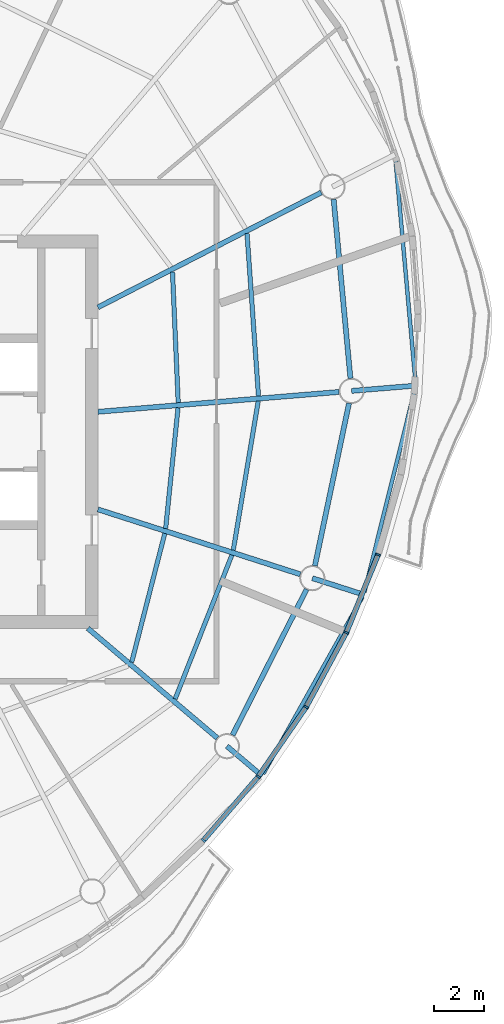
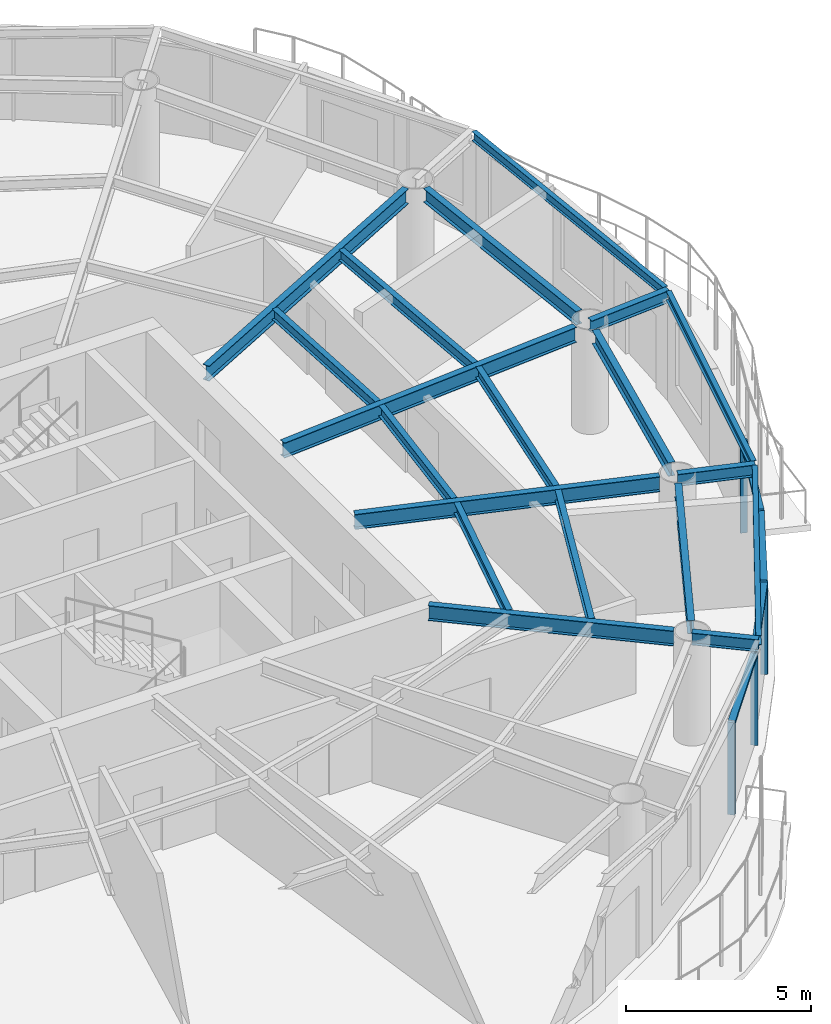
# One storey, part 4 of 14: 19 beams, 9 members, 4 elements without a shape of their own.
"""IFC4 building model written with IfcOpenShell, lengths in metres."""

from ifc_helpers import new_model, si_unit, direction, frame, origin, origin_2d, place, context, subcontext, project, spatial, rectangle, i_section, extrude, material, material_profile, profile_set, type_object, element, aggregate, save


model = new_model("IFC4")

# Units and contexts
model_context = context("Model", 3, precision=1e-05, world=origin(), true_north=direction((0.0, 1.0)))
body_context = subcontext(model_context, "Body", "Model", "MODEL_VIEW")
ifc_project = project(units=[si_unit("LENGTHUNIT", "METRE"), si_unit("AREAUNIT", "SQUARE_METRE"), si_unit("VOLUMEUNIT", "CUBIC_METRE"), si_unit("PLANEANGLEUNIT", "RADIAN"), si_unit("MASSUNIT", "GRAM", prefix="KILO")], contexts=[model_context])

# Site, building, storey
site_placement = place(None, origin())
site = spatial("IfcSite", under=ifc_project, at=site_placement, CompositionType="ELEMENT")
building_placement = place(site_placement, origin())
building = spatial("IfcBuilding", under=site, at=building_placement, Name="Vermilion Reach Broadcast Tower", CompositionType="ELEMENT")
storey_placement = place(building_placement, frame((0.0, 0.0, 268.5)))
storey = spatial("IfcBuildingStorey", under=building, at=storey_placement, Name="L66", CompositionType="ELEMENT", Elevation=268.5)

# Beams
ifc_material_1 = material(Name="Steel S355J2", Category="steel")
ifc_material_profile_1 = material_profile(ifc_material_1, i_section(OverallWidth=0.14990234375, OverallDepth=0.300048828125, WebThickness=0.006591796875, FlangeThickness=0.009033203125, at=origin_2d()), Name="S355J2 HN 300x150x6.5x9")
ifc_profile_set_1 = profile_set([ifc_material_profile_1], Name="Steel S355J2")
beam_type_1 = type_object("IfcBeamType", Name="EB5 HN 300x150x6.5x9", PredefinedType="BEAM", material=ifc_profile_set_1)
beam_1_placement = place(storey_placement, frame((10.161865234375, -13.5703125, 3.300048828125), z_axis=(0.489276871592, 0.87212851285, 0.0), x_axis=(-0.87212851285, 0.489276871592, 0.0)))
element("IfcBeam", 1, at=beam_1_placement, inside=storey, type_object=beam_type_1, Name="Edge beam EB5-12", PredefinedType="BEAM", context=body_context, shape_type="SweptSolid", body=[
    extrude(i_section(OverallWidth=0.14990234375, OverallDepth=0.300048828125, WebThickness=0.006591796875, FlangeThickness=0.009033203125, at=origin_2d()), origin(), (0.0, 0.0, 1.0), 8.045166015625),
])
beam_2_placement = place(storey_placement, frame((14.172119140625, -6.36767578125, 3.300048828125), z_axis=(0.241605942273, 0.970374447653, 0.0), x_axis=(-0.970374447653, 0.241605942273, 0.0)))
element("IfcBeam", 2, at=beam_2_placement, inside=storey, type_object=beam_type_1, Name="Edge beam EB5-13", PredefinedType="BEAM", context=body_context, shape_type="SweptSolid", body=[
    extrude(i_section(OverallWidth=0.14990234375, OverallDepth=0.300048828125, WebThickness=0.006591796875, FlangeThickness=0.009033203125, at=origin_2d()), origin(), (0.0, 0.0, 1.0), 8.342529296875),
])
beam_3_placement = place(storey_placement, frame((16.204345703125, 1.9296875, 3.300048828125), z_axis=(-0.089613201352, 0.995976643372, 0.0), x_axis=(-0.995976643372, -0.089613201352, 0.0)))
element("IfcBeam", 3, at=beam_3_placement, inside=storey, type_object=beam_type_1, Name="Edge beam EB5-14", PredefinedType="BEAM", context=body_context, shape_type="SweptSolid", body=[
    extrude(i_section(OverallWidth=0.14990234375, OverallDepth=0.300048828125, WebThickness=0.006591796875, FlangeThickness=0.009033203125, at=origin_2d()), origin(), (0.0, 0.0, 1.0), 8.995849609375),
])
ifc_material_2 = material(Name="Steel S355J2", Category="steel")
ifc_material_profile_2 = material_profile(ifc_material_2, i_section(OverallWidth=0.199951171875, OverallDepth=0.5, WebThickness=0.010009765625, FlangeThickness=0.01611328125, at=origin_2d()), Name="S355J2 HN 500x200x10x16")
ifc_profile_set_2 = profile_set([ifc_material_profile_2], Name="Steel S355J2")
beam_type_2 = type_object("IfcBeamType", Name="G5 HN 500x200x10x16", PredefinedType="BEAM", material=ifc_profile_set_2)
beam_4_placement = place(storey_placement, frame((3.20068359375, -7.800048828125, 3.199951171875), z_axis=(0.762793125612, -0.646642596431, 0.0), x_axis=(0.646642596431, 0.762793125612, 0.0)))
element("IfcBeam", 4, at=beam_4_placement, inside=storey, type_object=beam_type_2, Name="Girder G5-12", PredefinedType="BEAM", context=body_context, shape_type="SweptSolid", body=[
    extrude(i_section(OverallWidth=0.199951171875, OverallDepth=0.5, WebThickness=0.010009765625, FlangeThickness=0.01611328125, at=origin_2d()), origin(), (0.0, 0.0, 1.0), 6.732421875),
])
beam_5_placement = place(storey_placement, frame((3.60009765625, -3.080322265625, 3.199951171875), z_axis=(0.952178453449, -0.305542456604, 0.0), x_axis=(0.305542456604, 0.952178453449, 0.0)))
element("IfcBeam", 5, at=beam_5_placement, inside=storey, type_object=beam_type_2, Name="Girder G5-13", PredefinedType="BEAM", context=body_context, shape_type="SweptSolid", body=[
    extrude(i_section(OverallWidth=0.199951171875, OverallDepth=0.5, WebThickness=0.010009765625, FlangeThickness=0.01611328125, at=origin_2d()), origin(), (0.0, 0.0, 1.0), 8.43310546875),
])
beam_6_placement = place(storey_placement, frame((3.60009765625, 0.791015625, 3.199951171875), z_axis=(0.996624410075, 0.082096195058, 0.0), x_axis=(-0.082096195058, 0.996624410075, 0.0)))
element("IfcBeam", 6, at=beam_6_placement, inside=storey, type_object=beam_type_2, Name="Girder G5-14", PredefinedType="BEAM", context=body_context, shape_type="SweptSolid", body=[
    extrude(i_section(OverallWidth=0.199951171875, OverallDepth=0.5, WebThickness=0.010009765625, FlangeThickness=0.01611328125, at=origin_2d()), origin(), (0.0, 0.0, 1.0), 9.599609375),
])
beam_7_placement = place(storey_placement, frame((3.60009765625, 4.935791015625, 3.199951171875), z_axis=(0.889332502449, 0.457261085254, 0.0), x_axis=(-0.457261085254, 0.889332502449, 0.0)))
element("IfcBeam", 7, at=beam_7_placement, inside=storey, type_object=beam_type_2, Name="Girder G5-15", PredefinedType="BEAM", context=body_context, shape_type="SweptSolid", body=[
    extrude(i_section(OverallWidth=0.199951171875, OverallDepth=0.5, WebThickness=0.010009765625, FlangeThickness=0.01611328125, at=origin_2d()), origin(), (0.0, 0.0, 1.0), 9.96337890625),
])
ifc_material_3 = material(Name="Steel S355J2", Category="steel")
ifc_material_profile_3 = material_profile(ifc_material_3, i_section(OverallWidth=0.199951171875, OverallDepth=0.39990234375, WebThickness=0.008056640625, FlangeThickness=0.012939453125, at=origin_2d()), Name="S355J2 HN 400x200x8x13")
ifc_profile_set_3 = profile_set([ifc_material_profile_3], Name="Steel S355J2")
beam_type_3 = type_object("IfcBeamType", Name="GC5 HN 400x200x8x13", PredefinedType="BEAM", material=ifc_profile_set_3)
beam_8_placement = place(storey_placement, frame((8.717529296875, -12.476806640625, 3.25), z_axis=(0.762742644331, -0.646702140493, 0.0), x_axis=(0.646702140493, 0.762742644331, 0.0)))
element("IfcBeam", 8, at=beam_8_placement, inside=storey, type_object=beam_type_3, Name="Cantilever girder GC5-12", PredefinedType="BEAM", context=body_context, shape_type="SweptSolid", body=[
    extrude(i_section(OverallWidth=0.199951171875, OverallDepth=0.39990234375, WebThickness=0.008056640625, FlangeThickness=0.012939453125, at=origin_2d()), origin(), (0.0, 0.0, 1.0), 1.828369140625),
])
beam_9_placement = place(storey_placement, frame((12.10595703125, -5.809814453125, 3.25), z_axis=(0.952208444369, -0.305448978508, 0.0), x_axis=(0.305448978508, 0.952208444369, 0.0)))
element("IfcBeam", 9, at=beam_9_placement, inside=storey, type_object=beam_type_3, Name="Cantilever girder GC5-13", PredefinedType="BEAM", context=body_context, shape_type="SweptSolid", body=[
    extrude(i_section(OverallWidth=0.199951171875, OverallDepth=0.39990234375, WebThickness=0.008056640625, FlangeThickness=0.012939453125, at=origin_2d()), origin(), (0.0, 0.0, 1.0), 2.14453125),
])
beam_10_placement = place(storey_placement, frame((13.665771484375, 1.620361328125, 3.25), z_axis=(0.996628904746, 0.082041612763, 0.0), x_axis=(-0.082041612763, 0.996628904746, 0.0)))
element("IfcBeam", 10, at=beam_10_placement, inside=storey, type_object=beam_type_3, Name="Cantilever girder GC5-14", PredefinedType="BEAM", context=body_context, shape_type="SweptSolid", body=[
    extrude(i_section(OverallWidth=0.199951171875, OverallDepth=0.39990234375, WebThickness=0.008056640625, FlangeThickness=0.012939453125, at=origin_2d()), origin(), (0.0, 0.0, 1.0), 2.55615234375),
])
ifc_material_4 = material(Name="Steel S355J2", Category="steel")
ifc_material_profile_4 = material_profile(ifc_material_4, i_section(OverallWidth=0.199951171875, OverallDepth=0.449951171875, WebThickness=0.009033203125, FlangeThickness=0.013916015625, at=origin_2d()), Name="S355J2 HN 450x200x9x14")
ifc_profile_set_4 = profile_set([ifc_material_profile_4], Name="Steel S355J2")
beam_type_4 = type_object("IfcBeamType", Name="RB5 HN 450x200x9x14", PredefinedType="BEAM", material=ifc_profile_set_4)
beam_11_placement = place(storey_placement, frame((8.944091796875, -12.03125, 3.22509765625), z_axis=(0.453052302855, 0.891483937532, 0.0), x_axis=(-0.891483937532, 0.453052302855, 0.0)))
element("IfcBeam", 11, at=beam_11_placement, inside=storey, type_object=beam_type_4, Name="Ring beam RB5-12", PredefinedType="BEAM", context=body_context, shape_type="SweptSolid", body=[
    extrude(i_section(OverallWidth=0.199951171875, OverallDepth=0.449951171875, WebThickness=0.009033203125, FlangeThickness=0.013916015625, at=origin_2d()), origin(), (0.0, 0.0, 1.0), 6.47900390625),
])
beam_12_placement = place(storey_placement, frame((12.208740234375, -5.3203125, 3.22509765625), z_axis=(0.205444869285, 0.978668690459, 0.0), x_axis=(-0.978668690459, 0.205444869285, 0.0)))
element("IfcBeam", 12, at=beam_12_placement, inside=storey, type_object=beam_type_4, Name="Ring beam RB5-13", PredefinedType="BEAM", context=body_context, shape_type="SweptSolid", body=[
    extrude(i_section(OverallWidth=0.199951171875, OverallDepth=0.449951171875, WebThickness=0.009033203125, FlangeThickness=0.013916015625, at=origin_2d()), origin(), (0.0, 0.0, 1.0), 6.591796875),
])
beam_13_placement = place(storey_placement, frame((13.618896484375, 2.1181640625, 3.22509765625), z_axis=(-0.093441399272, 0.995624781181, 0.0), x_axis=(-0.995624781181, -0.093441399272, 0.0)))
element("IfcBeam", 13, at=beam_13_placement, inside=storey, type_object=beam_type_4, Name="Ring beam RB5-14", PredefinedType="BEAM", context=body_context, shape_type="SweptSolid", body=[
    extrude(i_section(OverallWidth=0.199951171875, OverallDepth=0.449951171875, WebThickness=0.009033203125, FlangeThickness=0.013916015625, at=origin_2d()), origin(), (0.0, 0.0, 1.0), 7.135498046875),
])
ifc_material_5 = material(Name="Steel S355J2", Category="steel")
ifc_material_profile_5 = material_profile(ifc_material_5, i_section(OverallWidth=0.175048828125, OverallDepth=0.35009765625, WebThickness=0.007080078125, FlangeThickness=0.010986328125, at=origin_2d()), Name="S355J2 HN 350x175x7x11")
ifc_profile_set_5 = profile_set([ifc_material_profile_5], Name="Steel S355J2")
beam_type_5 = type_object("IfcBeamType", Name="SB5 HN 350x175x7x11", PredefinedType="BEAM", material=ifc_profile_set_5)
beam_14_placement = place(storey_placement, frame((4.940185546875, -9.1435546875, 3.27490234375), z_axis=(0.248729575729, 0.968572969971, 0.0), x_axis=(-0.968572969971, 0.248729575729, 0.0)))
element("IfcBeam", 14, at=beam_14_placement, inside=storey, type_object=beam_type_5, Name="Secondary beam SB5-12-1", PredefinedType="BEAM", context=body_context, shape_type="SweptSolid", body=[
    extrude(i_section(OverallWidth=0.175048828125, OverallDepth=0.35009765625, WebThickness=0.007080078125, FlangeThickness=0.010986328125, at=origin_2d()), origin(), (0.0, 0.0, 1.0), 5.27294921875),
])
beam_15_placement = place(storey_placement, frame((6.6630859375, -10.604248046875, 3.27490234375), z_axis=(0.366931189603, 0.930248086317, 0.0), x_axis=(-0.930248086317, 0.366931189603, 0.0)))
element("IfcBeam", 15, at=beam_15_placement, inside=storey, type_object=beam_type_5, Name="Secondary beam SB5-12-2", PredefinedType="BEAM", context=body_context, shape_type="SweptSolid", body=[
    extrude(i_section(OverallWidth=0.175048828125, OverallDepth=0.35009765625, WebThickness=0.007080078125, FlangeThickness=0.010986328125, at=origin_2d()), origin(), (0.0, 0.0, 1.0), 6.141357421875),
])
beam_16_placement = place(storey_placement, frame((6.287109375, -3.837646484375, 3.27490234375), z_axis=(0.102113775264, 0.994772726255, 0.0), x_axis=(-0.994772726255, 0.102113775264, 0.0)))
element("IfcBeam", 16, at=beam_16_placement, inside=storey, type_object=beam_type_5, Name="Secondary beam SB5-13-1", PredefinedType="BEAM", context=body_context, shape_type="SweptSolid", body=[
    extrude(i_section(OverallWidth=0.175048828125, OverallDepth=0.35009765625, WebThickness=0.007080078125, FlangeThickness=0.010986328125, at=origin_2d()), origin(), (0.0, 0.0, 1.0), 4.815185546875),
])
beam_17_placement = place(storey_placement, frame((8.969970703125, -4.698486328125, 3.27490234375), z_axis=(0.16532337011, 0.986239414795, 0.0), x_axis=(-0.986239414795, 0.16532337011, 0.0)))
element("IfcBeam", 17, at=beam_17_placement, inside=storey, type_object=beam_type_5, Name="Secondary beam SB5-13-2", PredefinedType="BEAM", context=body_context, shape_type="SweptSolid", body=[
    extrude(i_section(OverallWidth=0.175048828125, OverallDepth=0.35009765625, WebThickness=0.007080078125, FlangeThickness=0.010986328125, at=origin_2d()), origin(), (0.0, 0.0, 1.0), 5.99560546875),
])
beam_18_placement = place(storey_placement, frame((6.78466796875, 1.153564453125, 3.27490234375), z_axis=(-0.043557530017, 0.999050920413, 0.0), x_axis=(-0.999050920413, -0.043557530017, 0.0)))
element("IfcBeam", 18, at=beam_18_placement, inside=storey, type_object=beam_type_5, Name="Secondary beam SB5-14-1", PredefinedType="BEAM", context=body_context, shape_type="SweptSolid", body=[
    extrude(i_section(OverallWidth=0.175048828125, OverallDepth=0.35009765625, WebThickness=0.007080078125, FlangeThickness=0.010986328125, at=origin_2d()), origin(), (0.0, 0.0, 1.0), 5.19580078125),
])
beam_19_placement = place(storey_placement, frame((9.97119140625, 1.416259765625, 3.27490234375), z_axis=(-0.070586780458, 0.997505642302, 0.0), x_axis=(-0.997505642302, -0.070586780458, 0.0)))
element("IfcBeam", 19, at=beam_19_placement, inside=storey, type_object=beam_type_5, Name="Secondary beam SB5-14-2", PredefinedType="BEAM", context=body_context, shape_type="SweptSolid", body=[
    extrude(i_section(OverallWidth=0.175048828125, OverallDepth=0.35009765625, WebThickness=0.007080078125, FlangeThickness=0.010986328125, at=origin_2d()), origin(), (0.0, 0.0, 1.0), 6.46435546875),
])

# Curtain wall, member
ifc_material_6 = material(Name="Low-e laminated clear glass in aluminium frame", Category="aluminium")
curtain_wall_type = type_object("IfcCurtainWallType", Name="Slot curtain wall", PredefinedType="NOTDEFINED", material=ifc_material_6)
placement = place(storey_placement, origin())
curtain_wall_1 = element("IfcCurtainWall", 20, at=placement, inside=storey, type_object=curtain_wall_type, Name="Slot curtain wall L66 34", PredefinedType="NOTDEFINED")
ifc_material_7 = material(Name="Anodised aluminium", Category="aluminium")
ifc_material_profile_6 = material_profile(ifc_material_7, rectangle(XDim=0.199951171875, YDim=0.080078125, at=origin_2d()), Name="Slot mullion 80 x 200")
ifc_profile_set_6 = profile_set([ifc_material_profile_6], Name="Anodised aluminium")
member_type_1 = type_object("IfcMemberType", Name="Slot mullion 80 x 200", PredefinedType="MULLION", material=ifc_profile_set_6)
member_1_placement = place(storey_placement, frame((7.7861328125, -16.21435546875, 0.0), z_axis=(0.0, 0.0, 1.0), x_axis=(-0.721264978254, 0.692659246054, 0.0)))
member_1 = element("IfcMember", 21, at=member_1_placement, type_object=member_type_1, Name="Slot mullion L66 34", PredefinedType="MULLION", context=body_context, shape_type="SweptSolid", body=[
    extrude(rectangle(XDim=0.199951171875, YDim=0.080078125, at=origin_2d()), origin(), (0.0, 0.0, 1.0), 3.050048828125),
])

curtain_wall_2 = element("IfcCurtainWall", 22, at=placement, inside=storey, type_object=curtain_wall_type, Name="Slot curtain wall L66 35", PredefinedType="NOTDEFINED")
member_2_placement = place(storey_placement, frame((9.96142578125, -13.68505859375, 0.0), z_axis=(0.0, 0.0, 1.0), x_axis=(-0.792226526685, 0.6102271138, 0.0)))
member_2 = element("IfcMember", 23, at=member_2_placement, type_object=member_type_1, Name="Slot mullion L66 35", PredefinedType="MULLION", context=body_context, shape_type="SweptSolid", body=[
    extrude(rectangle(XDim=0.199951171875, YDim=0.080078125, at=origin_2d()), origin(), (0.0, 0.0, 1.0), 3.050048828125),
])

curtain_wall_3 = element("IfcCurtainWall", 24, at=placement, inside=storey, type_object=curtain_wall_type, Name="Slot curtain wall L66 36", PredefinedType="NOTDEFINED")
member_3_placement = place(storey_placement, frame((11.862548828125, -10.92041015625, 0.0), z_axis=(0.0, 0.0, 1.0), x_axis=(-0.853186876297, 0.521605362429, 0.0)))
member_3 = element("IfcMember", 25, at=member_3_placement, type_object=member_type_1, Name="Slot mullion L66 36", PredefinedType="MULLION", context=body_context, shape_type="SweptSolid", body=[
    extrude(rectangle(XDim=0.199951171875, YDim=0.080078125, at=origin_2d()), origin(), (0.0, 0.0, 1.0), 3.050048828125),
])

# Curtain wall, members
curtain_wall_4 = element("IfcCurtainWall", 26, at=placement, inside=storey, type_object=curtain_wall_type, Name="Slot curtain wall L66 37", PredefinedType="NOTDEFINED")
member_4_placement = place(storey_placement, frame((13.45654296875, -7.968017578125, 0.0), z_axis=(0.0, 0.0, 1.0), x_axis=(-0.904275875343, 0.426948640087, 0.0)))
member_4 = element("IfcMember", 27, at=member_4_placement, type_object=member_type_1, Name="Slot mullion L66 37", PredefinedType="MULLION", context=body_context, shape_type="SweptSolid", body=[
    extrude(rectangle(XDim=0.199951171875, YDim=0.080078125, at=origin_2d()), origin(), (0.0, 0.0, 1.0), 3.050048828125),
])
member_5_placement = place(storey_placement, frame((14.716064453125, -4.87890625, 0.0), z_axis=(0.0, 0.0, 1.0), x_axis=(-0.945296659224, 0.32621193427, 0.0)))
member_5 = element("IfcMember", 28, at=member_5_placement, type_object=member_type_1, Name="Slot mullion L66 38", PredefinedType="MULLION", context=body_context, shape_type="SweptSolid", body=[
    extrude(rectangle(XDim=0.199951171875, YDim=0.080078125, at=origin_2d()), origin(), (0.0, 0.0, 1.0), 3.050048828125),
])

# Member
ifc_material_8 = material(Name="Anodised aluminium", Category="aluminium")
ifc_material_profile_7 = material_profile(ifc_material_8, rectangle(XDim=0.199951171875, YDim=0.10009765625, at=origin_2d()), Name="Slot transom 200 x 100")
ifc_profile_set_7 = profile_set([ifc_material_profile_7], Name="Anodised aluminium")
member_type_2 = type_object("IfcMemberType", Name="Slot transom 200 x 100", PredefinedType="USERDEFINED", material=ifc_profile_set_7)
member_6_placement = place(storey_placement, frame((7.81201171875, -16.18408203125, 3.0), z_axis=(0.652105643664, 0.758128108898, 0.0), x_axis=(-0.758128108898, 0.652105643664, 0.0)))
member_6 = element("IfcMember", 29, at=member_6_placement, type_object=member_type_2, Name="Slot transom L66 34.1", ObjectType="TRANSOM", PredefinedType="USERDEFINED", context=body_context, shape_type="SweptSolid", body=[
    extrude(rectangle(XDim=0.199951171875, YDim=0.10009765625, at=origin_2d()), origin(), (0.0, 0.0, 1.0), 3.256103515625),
])

aggregate(curtain_wall_1, [member_1, member_6])

member_7_placement = place(storey_placement, frame((9.984130859375, -13.652099609375, 3.0), z_axis=(0.566598420338, 0.823994071624, 0.0), x_axis=(-0.823994071624, 0.566598420338, 0.0)))
member_7 = element("IfcMember", 30, at=member_7_placement, type_object=member_type_2, Name="Slot transom L66 35.1", ObjectType="TRANSOM", PredefinedType="USERDEFINED", context=body_context, shape_type="SweptSolid", body=[
    extrude(rectangle(XDim=0.199951171875, YDim=0.10009765625, at=origin_2d()), origin(), (0.0, 0.0, 1.0), 3.275146484375),
])

aggregate(curtain_wall_2, [member_2, member_7])

member_8_placement = place(storey_placement, frame((11.881591796875, -10.88525390625, 3.0), z_axis=(0.475050800935, 0.879958372044, 0.0), x_axis=(-0.879958372044, 0.475050800935, 0.0)))
member_8 = element("IfcMember", 31, at=member_8_placement, type_object=member_type_2, Name="Slot transom L66 36.1", ObjectType="TRANSOM", PredefinedType="USERDEFINED", context=body_context, shape_type="SweptSolid", body=[
    extrude(rectangle(XDim=0.199951171875, YDim=0.10009765625, at=origin_2d()), origin(), (0.0, 0.0, 1.0), 3.275146484375),
])

aggregate(curtain_wall_3, [member_3, member_8])

member_9_placement = place(storey_placement, frame((13.4716796875, -7.930908203125, 3.0), z_axis=(0.377549352116, 0.92598946361, 0.0), x_axis=(-0.92598946361, 0.377549352116, 0.0)))
member_9 = element("IfcMember", 32, at=member_9_placement, type_object=member_type_2, Name="Slot transom L66 37.1", ObjectType="TRANSOM", PredefinedType="USERDEFINED", context=body_context, shape_type="SweptSolid", body=[
    extrude(rectangle(XDim=0.199951171875, YDim=0.10009765625, at=origin_2d()), origin(), (0.0, 0.0, 1.0), 3.255859375),
])

aggregate(curtain_wall_4, [member_4, member_5, member_9])

save(model, "model.ifc")
